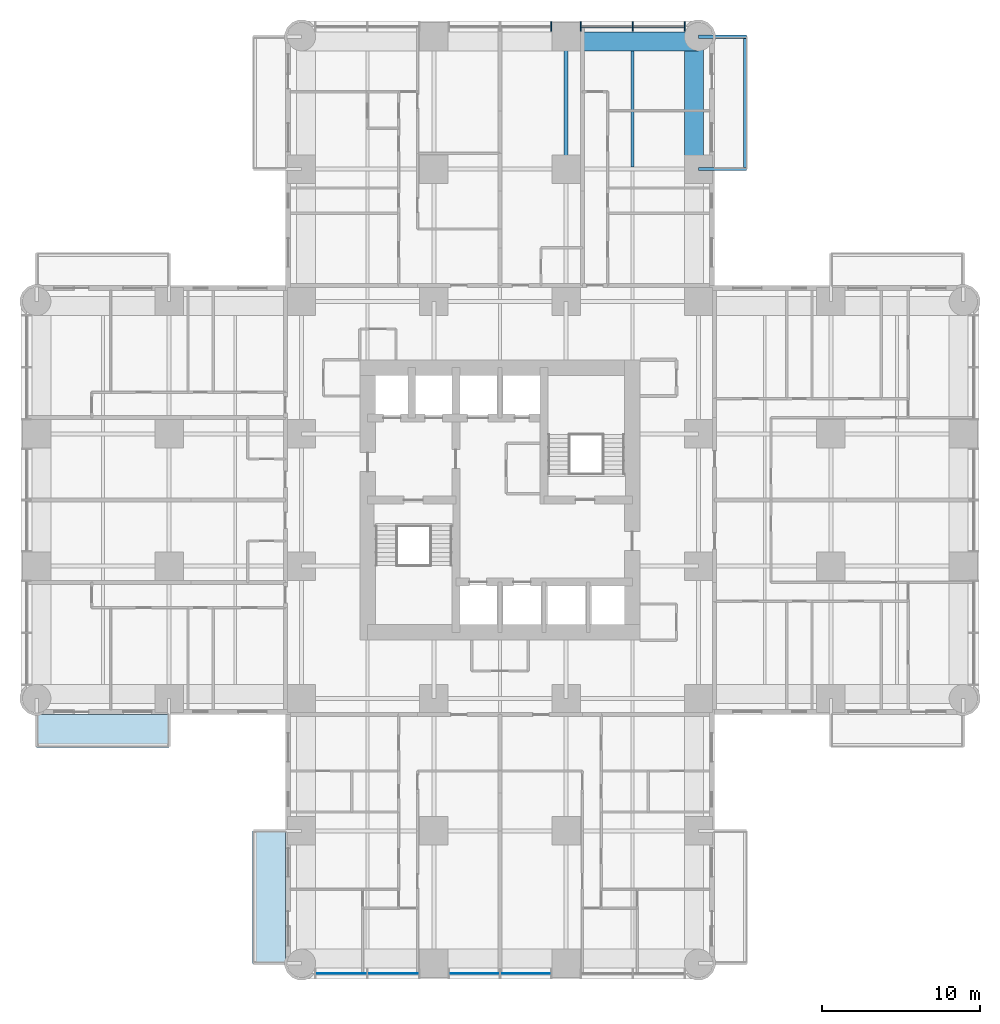
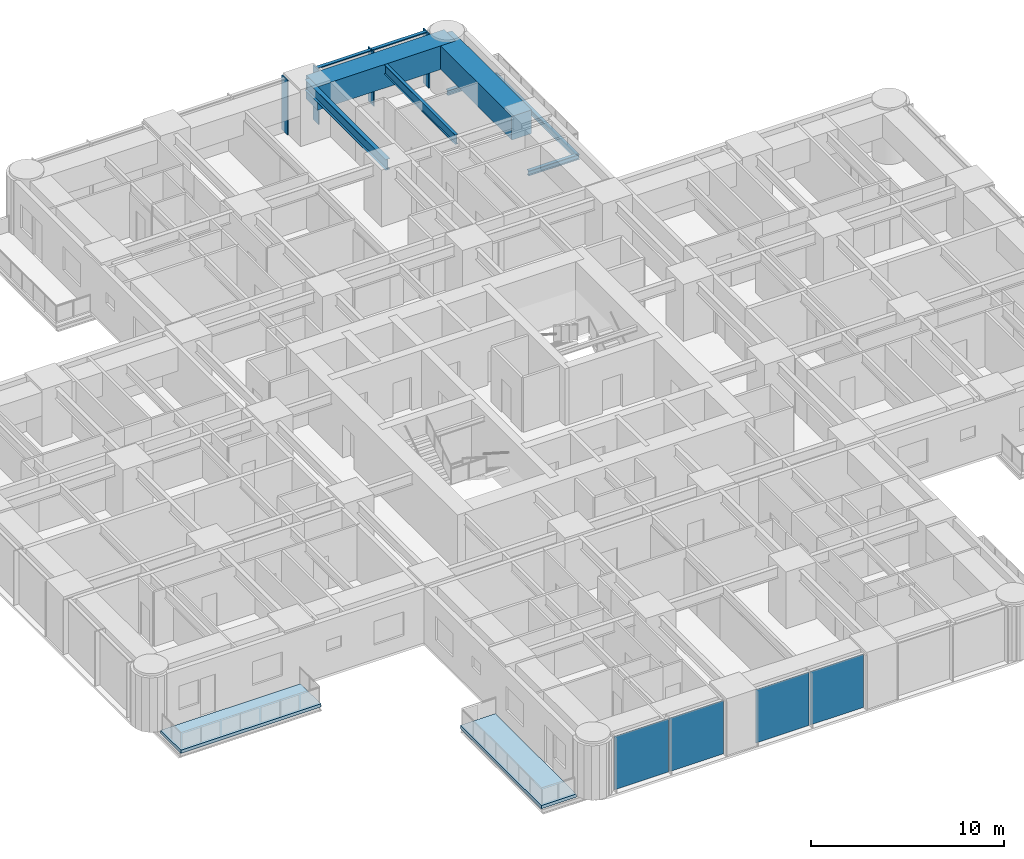
# One storey, part 5 of 17: 7 beams, 6 members, 4 plates, 2 slabs, 2 elements without a shape of their own.
"""IFC4 building model written with IfcOpenShell, lengths in metres."""

from ifc_helpers import new_model, si_unit, direction, frame, origin, origin_2d, place, context, subcontext, project, spatial, polyline, rectangle, i_section, outline, extrude, material, layer, layer_set, material_profile, profile_set, type_object, element, aggregate, save


model = new_model("IFC4")

# Units and contexts
model_context = context("Model", 3, precision=1e-05, world=origin(), true_north=direction((0.0, 1.0)))
body_context = subcontext(model_context, "Body", "Model", "MODEL_VIEW")
ifc_project = project(units=[si_unit("LENGTHUNIT", "METRE"), si_unit("AREAUNIT", "SQUARE_METRE"), si_unit("VOLUMEUNIT", "CUBIC_METRE"), si_unit("PLANEANGLEUNIT", "RADIAN"), si_unit("MASSUNIT", "GRAM", prefix="KILO")], contexts=[model_context])

# Site, building, storey
site_placement = place(None, origin())
site = spatial("IfcSite", under=ifc_project, at=site_placement, CompositionType="ELEMENT")
building_placement = place(site_placement, origin())
building = spatial("IfcBuilding", under=site, at=building_placement, Name="Torre Alcanfor", CompositionType="ELEMENT")
storey_placement = place(building_placement, frame((0.0, 0.0, 70.5)))
storey = spatial("IfcBuildingStorey", under=building, at=storey_placement, Name="L17", CompositionType="ELEMENT", Elevation=70.5)

# Beams
ifc_material_1 = material(Name="Steel ASTM A992 Grade 50", Category="steel")
ifc_material_profile_1 = material_profile(ifc_material_1, i_section(OverallWidth=0.205322265625, OverallDepth=0.309814453125, WebThickness=0.00927734375, FlangeThickness=0.016357421875, at=origin_2d()), Name="W12x50")
ifc_profile_set_1 = profile_set([ifc_material_profile_1], Name="Steel ASTM A992 Grade 50")
beam_type_1 = type_object("IfcBeamType", Name="Balcony cantilever beam W12x50", PredefinedType="BEAM", material=ifc_profile_set_1)
for number, where, z_axis, x_axis, name in (
    (1, (42.0, 50.39990234375, -0.35498046875), (1.0, 0.0, 0.0), (0.0, 1.0, 0.0), "Balcony cantilever beam L17-N2 1"),
    (2, (42.0, 58.800048828125, -0.35498046875), (1.0, 0.0, 0.0), (0.0, 1.0, 0.0), "Balcony cantilever beam L17-N2 2"),
):
    element("IfcBeam", number, at=place(storey_placement, frame(where, z_axis=z_axis, x_axis=x_axis)), inside=storey, type_object=beam_type_1, Name=name, PredefinedType="BEAM", context=body_context, shape_type="SweptSolid", body=[
        extrude(i_section(OverallWidth=0.205322265625, OverallDepth=0.309814453125, WebThickness=0.00927734375, FlangeThickness=0.016357421875, at=origin_2d()), origin(), (0.0, 0.0, 1.0), 3.050048828125),
    ])
ifc_material_2 = material(Name="Steel ASTM A992 Grade 50", Category="steel")
ifc_material_profile_2 = material_profile(ifc_material_2, i_section(OverallWidth=0.203369140625, OverallDepth=0.30224609375, WebThickness=0.007568359375, FlangeThickness=0.01318359375, at=origin_2d()), Name="W12x40")
ifc_profile_set_2 = profile_set([ifc_material_profile_2], Name="Steel ASTM A992 Grade 50")
beam_type_2 = type_object("IfcBeamType", Name="Balcony edge trimmer W12x40", PredefinedType="BEAM", material=ifc_profile_set_2)
beam_1_placement = place(storey_placement, frame((44.9482421875, 50.39990234375, -0.35107421875), z_axis=(0.0, 1.0, 0.0), x_axis=(-1.0, 0.0, 0.0)))
element("IfcBeam", 3, at=beam_1_placement, inside=storey, type_object=beam_type_2, Name="Balcony edge trimmer L17-N2", PredefinedType="BEAM", context=body_context, shape_type="SweptSolid", body=[
    extrude(i_section(OverallWidth=0.203369140625, OverallDepth=0.30224609375, WebThickness=0.007568359375, FlangeThickness=0.01318359375, at=origin_2d()), origin(), (0.0, 0.0, 1.0), 8.400146484375),
])

# Curtain wall, members
ifc_material_3 = material(Name="Aluminium and glass", Category="aluminium")
curtain_wall_type = type_object("IfcCurtainWallType", Name="CW-A unitised apartment glazing with vertical FIN", PredefinedType="NOTDEFINED", material=ifc_material_3)
curtain_wall_1_placement = place(storey_placement, origin())
curtain_wall_1 = element("IfcCurtainWall", 4, at=curtain_wall_1_placement, inside=storey, type_object=curtain_wall_type, Name="Curtain wall CW-A L17 11", PredefinedType="NOTDEFINED")
ifc_material_4 = material(Name="Bronze anodised aluminium", Category="aluminium")
ifc_material_profile_3 = material_profile(ifc_material_4, rectangle(XDim=0.60009765625, YDim=0.06494140625, at=origin_2d()), Name="CW-A mullion 65x600")
ifc_profile_set_3 = profile_set([ifc_material_profile_3], Name="Bronze anodised aluminium")
member_type_1 = type_object("IfcMemberType", Name="CW-A mullion with vertical FIN 65x600", PredefinedType="MULLION", material=ifc_profile_set_3)
member_1_placement = place(storey_placement, frame((41.133056640625, 59.449951171875, 0.0), z_axis=(0.0, 0.0, 1.0), x_axis=(0.0, -1.0, 0.0)))
member_1 = element("IfcMember", 5, at=member_1_placement, type_object=member_type_1, Name="CW-A mullion 1.1", PredefinedType="MULLION", context=body_context, shape_type="SweptSolid", body=[
    extrude(rectangle(XDim=0.60009765625, YDim=0.06494140625, at=origin_2d()), origin(), (0.0, 0.0, 1.0), 3.449951171875),
])
member_2_placement = place(storey_placement, frame((37.835205078125, 59.449951171875, 0.0), z_axis=(0.0, 0.0, 1.0), x_axis=(0.0, -1.0, 0.0)))
member_2 = element("IfcMember", 6, at=member_2_placement, type_object=member_type_1, Name="CW-A mullion 1.2", PredefinedType="MULLION", context=body_context, shape_type="SweptSolid", body=[
    extrude(rectangle(XDim=0.60009765625, YDim=0.06494140625, at=origin_2d()), origin(), (0.0, 0.0, 1.0), 3.449951171875),
])
member_3_placement = place(storey_placement, frame((34.53759765625, 59.449951171875, 0.0), z_axis=(0.0, 0.0, 1.0), x_axis=(0.0, -1.0, 0.0)))
member_3 = element("IfcMember", 7, at=member_3_placement, type_object=member_type_1, Name="CW-A mullion 1.3", PredefinedType="MULLION", context=body_context, shape_type="SweptSolid", body=[
    extrude(rectangle(XDim=0.60009765625, YDim=0.06494140625, at=origin_2d()), origin(), (0.0, 0.0, 1.0), 3.449951171875),
])
member_4_placement = place(storey_placement, frame((32.66259765625, 59.449951171875, 0.0), z_axis=(0.0, 0.0, 1.0), x_axis=(0.0, -1.0, 0.0)))
member_4 = element("IfcMember", 8, at=member_4_placement, type_object=member_type_1, Name="CW-A mullion 2.1", PredefinedType="MULLION", context=body_context, shape_type="SweptSolid", body=[
    extrude(rectangle(XDim=0.60009765625, YDim=0.06494140625, at=origin_2d()), origin(), (0.0, 0.0, 1.0), 3.449951171875),
])
ifc_material_5 = material(Name="Extruded aluminium", Category="aluminium")
ifc_material_profile_4 = material_profile(ifc_material_5, rectangle(XDim=0.199951171875, YDim=0.06494140625, at=origin_2d()), Name="CW-A transom 200x65")
ifc_profile_set_4 = profile_set([ifc_material_profile_4], Name="Extruded aluminium")
member_type_2 = type_object("IfcMemberType", Name="CW-A transom 65x200", PredefinedType="USERDEFINED", material=ifc_profile_set_4)
member_5_placement = place(storey_placement, frame((41.1005859375, 59.449951171875, 3.41748046875), z_axis=(-1.0, 0.0, 0.0), x_axis=(0.0, -1.0, 0.0)))
member_5 = element("IfcMember", 9, at=member_5_placement, type_object=member_type_2, Name="CW-A transom 1.1.2", ObjectType="TRANSOM", PredefinedType="USERDEFINED", context=body_context, shape_type="SweptSolid", body=[
    extrude(rectangle(XDim=0.199951171875, YDim=0.06494140625, at=origin_2d()), origin(), (0.0, 0.0, 1.0), 3.23291015625),
])
member_6_placement = place(storey_placement, frame((37.802734375, 59.449951171875, 3.41748046875), z_axis=(-1.0, 0.0, 0.0), x_axis=(0.0, -1.0, 0.0)))
member_6 = element("IfcMember", 10, at=member_6_placement, type_object=member_type_2, Name="CW-A transom 1.2.2", ObjectType="TRANSOM", PredefinedType="USERDEFINED", context=body_context, shape_type="SweptSolid", body=[
    extrude(rectangle(XDim=0.199951171875, YDim=0.06494140625, at=origin_2d()), origin(), (0.0, 0.0, 1.0), 3.232666015625),
])
aggregate(curtain_wall_1, [member_1, member_2, member_3, member_5, member_6, member_4])

# Beams
ifc_material_6 = material(Name="Steel ASTM A992 Grade 50", Category="steel")
ifc_material_profile_5 = material_profile(ifc_material_6, i_section(OverallWidth=0.25390625, OverallDepth=0.683349609375, WebThickness=0.012451171875, FlangeThickness=0.01904296875, at=origin_2d()), Name="W27x94")
ifc_profile_set_5 = profile_set([ifc_material_profile_5], Name="Steel ASTM A992 Grade 50")
beam_type_3 = type_object("IfcBeamType", Name="Girder W27x94", PredefinedType="BEAM", material=ifc_profile_set_5)
beam_2_placement = place(storey_placement, frame((33.60009765625, 50.39990234375, 3.1083984375), z_axis=(0.0, 1.0, 0.0), x_axis=(-1.0, 0.0, 0.0)))
element("IfcBeam", 11, at=beam_2_placement, inside=storey, type_object=beam_type_3, Name="Beam 5J-5K under L18", PredefinedType="BEAM", context=body_context, shape_type="SweptSolid", body=[
    extrude(i_section(OverallWidth=0.25390625, OverallDepth=0.683349609375, WebThickness=0.012451171875, FlangeThickness=0.01904296875, at=origin_2d()), origin(), (0.0, 0.0, 1.0), 8.400146484375),
])
ifc_material_7 = material(Name="Concrete f'c 70 MPa", Category="concrete")
ifc_material_profile_6 = material_profile(ifc_material_7, rectangle(XDim=1.199951171875, YDim=1.5, at=origin_2d()), Name="1200x1500")
ifc_profile_set_6 = profile_set([ifc_material_profile_6], Name="Concrete f'c 70 MPa")
beam_type_4 = type_object("IfcBeamType", Name="RC perimeter beam 1200x1500", PredefinedType="BEAM", material=ifc_profile_set_6)
for number, where, z_axis, x_axis, name in (
    (12, (33.72705078125, 58.5, 2.699951171875), (1.0, 0.0, 0.0), (0.0, 1.0, 0.0), "Beam 5K-6K under L18"),
    (13, (41.699951171875, 50.527099609375, 2.699951171875), (0.0, 1.0, 0.0), (-1.0, 0.0, 0.0), "Beam 6J-6K under L18"),
):
    element("IfcBeam", number, at=place(storey_placement, frame(where, z_axis=z_axis, x_axis=x_axis)), inside=storey, type_object=beam_type_4, Name=name, PredefinedType="BEAM", context=body_context, shape_type="SweptSolid", body=[
        extrude(rectangle(XDim=1.199951171875, YDim=1.5, at=origin_2d()), origin(), (0.0, 0.0, 1.0), 8.27294921875),
    ])
ifc_material_8 = material(Name="Steel ASTM A992 Grade 50", Category="steel")
ifc_material_profile_7 = material_profile(ifc_material_8, i_section(OverallWidth=0.1787109375, OverallDepth=0.60205078125, WebThickness=0.010986328125, FlangeThickness=0.014892578125, at=origin_2d()), Name="W24x62")
ifc_profile_set_7 = profile_set([ifc_material_profile_7], Name="Steel ASTM A992 Grade 50")
beam_type_5 = type_object("IfcBeamType", Name="Secondary beam W24x62", PredefinedType="BEAM", material=ifc_profile_set_7)
beam_3_placement = place(storey_placement, frame((37.800048828125, 50.527099609375, 3.14892578125), z_axis=(0.0, 1.0, 0.0), x_axis=(-1.0, 0.0, 0.0)))
element("IfcBeam", 14, at=beam_3_placement, inside=storey, type_object=beam_type_5, Name="Beam 37_8J-37_8K under L18", PredefinedType="BEAM", context=body_context, shape_type="SweptSolid", body=[
    extrude(i_section(OverallWidth=0.1787109375, OverallDepth=0.60205078125, WebThickness=0.010986328125, FlangeThickness=0.014892578125, at=origin_2d()), origin(), (0.0, 0.0, 1.0), 7.372802734375),
])

# Slabs
ifc_material_9 = material(Name="Concrete f'c 35 MPa", Category="concrete")
ifc_layer_1 = layer(ifc_material_9, 0.199951171875)
ifc_layer_set_1 = layer_set([ifc_layer_1], Name="Balcony slab 200")
slab_type = type_object("IfcSlabType", Name="Balcony slab 200", PredefinedType="FLOOR", material=ifc_layer_set_1)
slab_1_placement = place(storey_placement, frame((0.0, 0.0, -0.199951171875)))
element("IfcSlab", 15, at=slab_1_placement, inside=storey, type_object=slab_type, Name="Balcony L17-S2", PredefinedType="FLOOR", context=body_context, shape_type="SweptSolid", body=[
    extrude(outline(polyline([(13.699951171875, 8.39990234375), (13.699951171875, 0.0), (15.800048828125, 0.0), (15.800048828125, 8.39990234375), (13.699951171875, 8.39990234375)])), origin(), (0.0, 0.0, 1.0), 0.199951171875),
])
slab_2_placement = place(storey_placement, frame((0.0, 0.0, -0.199951171875)))
element("IfcSlab", 16, at=slab_2_placement, inside=storey, type_object=slab_type, Name="Balcony L17-W1", PredefinedType="FLOOR", context=body_context, shape_type="SweptSolid", body=[
    extrude(outline(polyline([(8.39990234375, 15.800048828125), (0.0, 15.800048828125), (0.0, 13.699951171875), (8.39990234375, 13.699951171875), (8.39990234375, 15.800048828125)])), origin(), (0.0, 0.0, 1.0), 0.199951171875),
])

# Curtain wall, plates
curtain_wall_2_placement = place(storey_placement, origin())
curtain_wall_2 = element("IfcCurtainWall", 17, at=curtain_wall_2_placement, inside=storey, type_object=curtain_wall_type, Name="Curtain wall CW-A L17 5", PredefinedType="NOTDEFINED")
ifc_material_10 = material(Name="Glass", Category="glass")
ifc_layer_2 = layer(ifc_material_10, 0.028076171875)
ifc_layer_set_2 = layer_set([ifc_layer_2], Name="CW-A clear double glazed unit")
plate_type = type_object("IfcPlateType", Name="CW-A clear double glazed unit", PredefinedType="CURTAIN_PANEL", material=ifc_layer_set_2)
plate_1_placement = place(storey_placement, frame((19.31591796875, -0.64990234375, 0.0), z_axis=(0.0, 0.0, 1.0), x_axis=(1.0, 0.0, 0.0)))
plate_1 = element("IfcPlate", 18, at=plate_1_placement, type_object=plate_type, Name="CW-A panel 1.1.1", PredefinedType="CURTAIN_PANEL", context=body_context, shape_type="SweptSolid", body=[
    extrude(rectangle(XDim=3.232666015625, YDim=0.028076171875, at=origin_2d()), origin(), (0.0, 0.0, 1.0), 3.385009765625),
])
plate_2_placement = place(storey_placement, frame((22.613525390625, -0.64990234375, 0.0), z_axis=(0.0, 0.0, 1.0), x_axis=(1.0, 0.0, 0.0)))
plate_2 = element("IfcPlate", 19, at=plate_2_placement, type_object=plate_type, Name="CW-A panel 1.2.1", PredefinedType="CURTAIN_PANEL", context=body_context, shape_type="SweptSolid", body=[
    extrude(rectangle(XDim=3.232666015625, YDim=0.028076171875, at=origin_2d()), origin(), (0.0, 0.0, 1.0), 3.385009765625),
])
plate_3_placement = place(storey_placement, frame((27.768798828125, -0.64990234375, 0.0), z_axis=(0.0, 0.0, 1.0), x_axis=(1.0, 0.0, 0.0)))
plate_3 = element("IfcPlate", 20, at=plate_3_placement, type_object=plate_type, Name="CW-A panel 2.1.1", PredefinedType="CURTAIN_PANEL", context=body_context, shape_type="SweptSolid", body=[
    extrude(rectangle(XDim=3.197509765625, YDim=0.028076171875, at=origin_2d()), origin(), (0.0, 0.0, 1.0), 3.385009765625),
])
plate_4_placement = place(storey_placement, frame((31.03125, -0.64990234375, 0.0), z_axis=(0.0, 0.0, 1.0), x_axis=(1.0, 0.0, 0.0)))
plate_4 = element("IfcPlate", 21, at=plate_4_placement, type_object=plate_type, Name="CW-A panel 2.2.1", PredefinedType="CURTAIN_PANEL", context=body_context, shape_type="SweptSolid", body=[
    extrude(rectangle(XDim=3.197509765625, YDim=0.028076171875, at=origin_2d()), origin(), (0.0, 0.0, 1.0), 3.385009765625),
])
aggregate(curtain_wall_2, [plate_1, plate_2, plate_3, plate_4])

save(model, "model.ifc")
